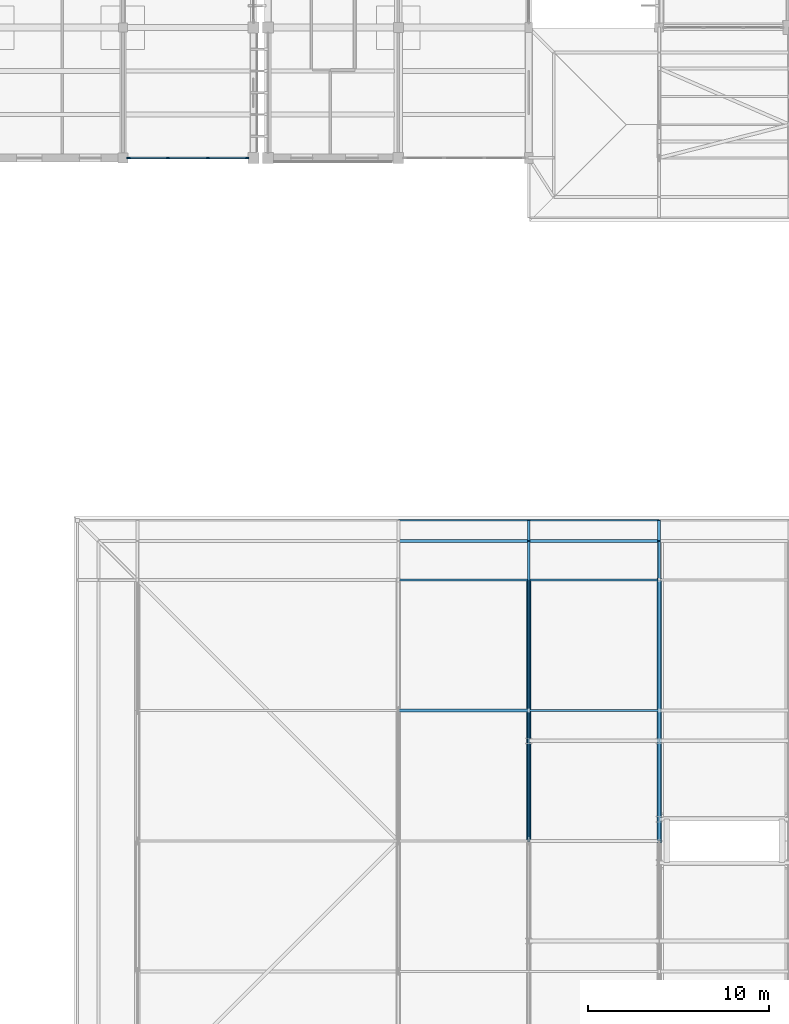
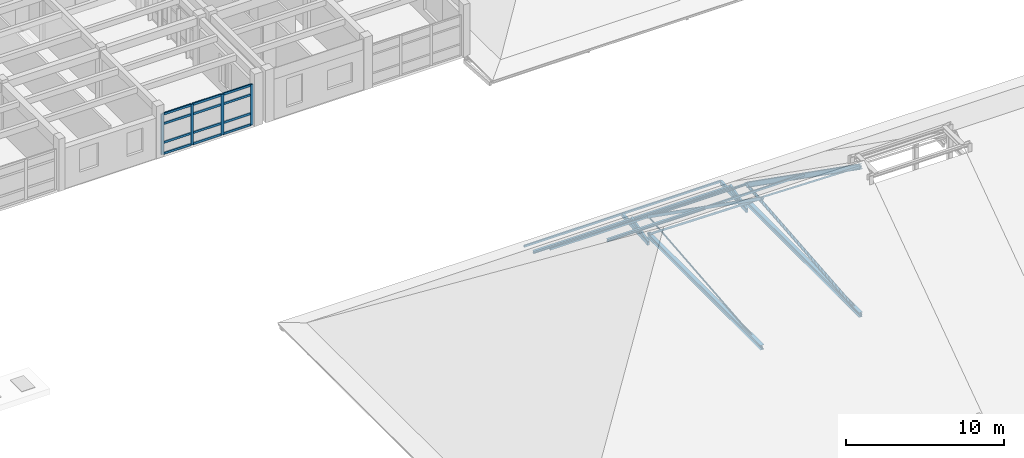
# One storey, part 6 of 100: 36 members, 1 element without a shape of its own.
"""IFC4 building model written with IfcOpenShell, lengths in metres."""

from ifc_helpers import new_model, si_unit, direction, frame, origin, origin_2d, place, context, subcontext, project, spatial, rectangle, hollow_rectangle, hollow_circle, i_section, extrude, material, material_profile, profile_set, type_object, element, aggregate, save


model = new_model("IFC4")

# Units and contexts
model_context = context("Model", 3, precision=1e-05, world=origin(), true_north=direction((0.0, 1.0)))
body_context = subcontext(model_context, "Body", "Model", "MODEL_VIEW")
ifc_project = project(units=[si_unit("LENGTHUNIT", "METRE"), si_unit("AREAUNIT", "SQUARE_METRE"), si_unit("VOLUMEUNIT", "CUBIC_METRE"), si_unit("PLANEANGLEUNIT", "RADIAN"), si_unit("MASSUNIT", "GRAM", prefix="KILO")], contexts=[model_context])

# Site, building, storey
site_placement = place(None, origin())
site = spatial("IfcSite", under=ifc_project, at=site_placement, CompositionType="ELEMENT")
building_placement = place(site_placement, origin())
building = spatial("IfcBuilding", under=site, at=building_placement, Name="Steenspoor Specialist Clinic", CompositionType="ELEMENT")
storey_placement = place(building_placement, frame((0.0, 0.0, 9.0)))
storey = spatial("IfcBuildingStorey", under=building, at=storey_placement, Name="L02", CompositionType="ELEMENT", Elevation=9.0)

# Curtain wall, members
ifc_material_1 = material(Name="Thermally broken aluminium and low-emissivity glass", Category="aluminium")
curtain_wall_type = type_object("IfcCurtainWallType", Name="CW-L00-650X415", PredefinedType="USERDEFINED", material=ifc_material_1)
curtain_wall_placement = place(storey_placement, origin())
curtain_wall = element("IfcCurtainWall", 1, at=curtain_wall_placement, inside=storey, type_object=curtain_wall_type, Name="Unitised Curtain Wall CW-V5-L02-149", ObjectType="UNITISED GLAZING", PredefinedType="USERDEFINED")
ifc_material_2 = material(Name="Thermally broken aluminium 6063-T6", Category="aluminium")
ifc_material_profile_1 = material_profile(ifc_material_2, rectangle(XDim=0.090087890625, YDim=0.199951171875, at=origin_2d()), Name="CWM-90X200")
ifc_profile_set_1 = profile_set([ifc_material_profile_1], Name="Thermally broken aluminium 6063-T6")
member_type_1 = type_object("IfcMemberType", Name="CW-MULL-90X200", PredefinedType="MULLION", material=ifc_profile_set_1)
member_1_placement = place(storey_placement, frame((51.2548828125, 65.14990234375, 0.0), z_axis=(0.0, 0.0, 1.0), x_axis=(0.0, -1.0, 0.0)))
member_1 = element("IfcMember", 2, at=member_1_placement, type_object=member_type_1, Name="CW-05 mullion 1", PredefinedType="MULLION", context=body_context, shape_type="SweptSolid", body=[
    extrude(rectangle(XDim=0.090087890625, YDim=0.199951171875, at=origin_2d()), origin(), (0.0, 0.0, 1.0), 3.1298828125),
])
member_2_placement = place(storey_placement, frame((49.091552734375, 65.14990234375, 0.0), z_axis=(0.0, 0.0, 1.0), x_axis=(0.0, -1.0, 0.0)))
member_2 = element("IfcMember", 3, at=member_2_placement, type_object=member_type_1, Name="CW-05 mullion 2", PredefinedType="MULLION", context=body_context, shape_type="SweptSolid", body=[
    extrude(rectangle(XDim=0.090087890625, YDim=0.199951171875, at=origin_2d()), origin(), (0.0, 0.0, 1.0), 3.1298828125),
])
member_3_placement = place(storey_placement, frame((46.88330078125, 65.14990234375, 0.0), z_axis=(0.0, 0.0, 1.0), x_axis=(0.0, -1.0, 0.0)))
member_3 = element("IfcMember", 4, at=member_3_placement, type_object=member_type_1, Name="CW-05 mullion 3", PredefinedType="MULLION", context=body_context, shape_type="SweptSolid", body=[
    extrude(rectangle(XDim=0.090087890625, YDim=0.199951171875, at=origin_2d()), origin(), (0.0, 0.0, 1.0), 3.1298828125),
])
member_4_placement = place(storey_placement, frame((44.719970703125, 65.14990234375, 0.0), z_axis=(0.0, 0.0, 1.0), x_axis=(0.0, -1.0, 0.0)))
member_4 = element("IfcMember", 5, at=member_4_placement, type_object=member_type_1, Name="CW-05 mullion 4", PredefinedType="MULLION", context=body_context, shape_type="SweptSolid", body=[
    extrude(rectangle(XDim=0.090087890625, YDim=0.199951171875, at=origin_2d()), origin(), (0.0, 0.0, 1.0), 3.1298828125),
])
ifc_material_profile_2 = material_profile(ifc_material_2, rectangle(XDim=0.090087890625, YDim=0.175048828125, at=origin_2d()), Name="CWT-90X175")
ifc_profile_set_2 = profile_set([ifc_material_profile_2], Name="Thermally broken aluminium 6063-T6")
member_type_2 = type_object("IfcMemberType", Name="CW-TRAN-90X175", PredefinedType="USERDEFINED", material=ifc_profile_set_2)
member_5_placement = place(storey_placement, frame((51.2099609375, 65.14990234375, 0.044921875), z_axis=(-1.0, 0.0, 0.0), x_axis=(0.0, -1.0, 0.0)))
member_5 = element("IfcMember", 6, at=member_5_placement, type_object=member_type_2, Name="CW-05 transom 1.1", ObjectType="TRANSOM", PredefinedType="USERDEFINED", context=body_context, shape_type="SweptSolid", body=[
    extrude(rectangle(XDim=0.090087890625, YDim=0.175048828125, at=origin_2d()), origin(), (0.0, 0.0, 1.0), 2.0732421875),
])
member_6_placement = place(storey_placement, frame((51.2099609375, 65.14990234375, 0.89990234375), z_axis=(-1.0, 0.0, 0.0), x_axis=(0.0, -1.0, 0.0)))
member_6 = element("IfcMember", 7, at=member_6_placement, type_object=member_type_2, Name="CW-05 transom 1.2", ObjectType="TRANSOM", PredefinedType="USERDEFINED", context=body_context, shape_type="SweptSolid", body=[
    extrude(rectangle(XDim=0.090087890625, YDim=0.175048828125, at=origin_2d()), origin(), (0.0, 0.0, 1.0), 2.0732421875),
])
member_7_placement = place(storey_placement, frame((51.2099609375, 65.14990234375, 2.35009765625), z_axis=(-1.0, 0.0, 0.0), x_axis=(0.0, -1.0, 0.0)))
member_7 = element("IfcMember", 8, at=member_7_placement, type_object=member_type_2, Name="CW-05 transom 1.3", ObjectType="TRANSOM", PredefinedType="USERDEFINED", context=body_context, shape_type="SweptSolid", body=[
    extrude(rectangle(XDim=0.090087890625, YDim=0.175048828125, at=origin_2d()), origin(), (0.0, 0.0, 1.0), 2.0732421875),
])
member_8_placement = place(storey_placement, frame((51.2099609375, 65.14990234375, 3.0849609375), z_axis=(-1.0, 0.0, 0.0), x_axis=(0.0, -1.0, 0.0)))
member_8 = element("IfcMember", 9, at=member_8_placement, type_object=member_type_2, Name="CW-05 transom 1.4", ObjectType="TRANSOM", PredefinedType="USERDEFINED", context=body_context, shape_type="SweptSolid", body=[
    extrude(rectangle(XDim=0.090087890625, YDim=0.175048828125, at=origin_2d()), origin(), (0.0, 0.0, 1.0), 2.0732421875),
])
member_9_placement = place(storey_placement, frame((49.046630859375, 65.14990234375, 0.044921875), z_axis=(-1.0, 0.0, 0.0), x_axis=(0.0, -1.0, 0.0)))
member_9 = element("IfcMember", 10, at=member_9_placement, type_object=member_type_2, Name="CW-05 transom 2.1", ObjectType="TRANSOM", PredefinedType="USERDEFINED", context=body_context, shape_type="SweptSolid", body=[
    extrude(rectangle(XDim=0.090087890625, YDim=0.175048828125, at=origin_2d()), origin(), (0.0, 0.0, 1.0), 2.118408203125),
])
member_10_placement = place(storey_placement, frame((49.046630859375, 65.14990234375, 0.89990234375), z_axis=(-1.0, 0.0, 0.0), x_axis=(0.0, -1.0, 0.0)))
member_10 = element("IfcMember", 11, at=member_10_placement, type_object=member_type_2, Name="CW-05 transom 2.2", ObjectType="TRANSOM", PredefinedType="USERDEFINED", context=body_context, shape_type="SweptSolid", body=[
    extrude(rectangle(XDim=0.090087890625, YDim=0.175048828125, at=origin_2d()), origin(), (0.0, 0.0, 1.0), 2.118408203125),
])
member_11_placement = place(storey_placement, frame((49.046630859375, 65.14990234375, 2.35009765625), z_axis=(-1.0, 0.0, 0.0), x_axis=(0.0, -1.0, 0.0)))
member_11 = element("IfcMember", 12, at=member_11_placement, type_object=member_type_2, Name="CW-05 transom 2.3", ObjectType="TRANSOM", PredefinedType="USERDEFINED", context=body_context, shape_type="SweptSolid", body=[
    extrude(rectangle(XDim=0.090087890625, YDim=0.175048828125, at=origin_2d()), origin(), (0.0, 0.0, 1.0), 2.118408203125),
])
member_12_placement = place(storey_placement, frame((49.046630859375, 65.14990234375, 3.0849609375), z_axis=(-1.0, 0.0, 0.0), x_axis=(0.0, -1.0, 0.0)))
member_12 = element("IfcMember", 13, at=member_12_placement, type_object=member_type_2, Name="CW-05 transom 2.4", ObjectType="TRANSOM", PredefinedType="USERDEFINED", context=body_context, shape_type="SweptSolid", body=[
    extrude(rectangle(XDim=0.090087890625, YDim=0.175048828125, at=origin_2d()), origin(), (0.0, 0.0, 1.0), 2.118408203125),
])
member_13_placement = place(storey_placement, frame((46.83837890625, 65.14990234375, 0.044921875), z_axis=(-1.0, 0.0, 0.0), x_axis=(0.0, -1.0, 0.0)))
member_13 = element("IfcMember", 14, at=member_13_placement, type_object=member_type_2, Name="CW-05 transom 3.1", ObjectType="TRANSOM", PredefinedType="USERDEFINED", context=body_context, shape_type="SweptSolid", body=[
    extrude(rectangle(XDim=0.090087890625, YDim=0.175048828125, at=origin_2d()), origin(), (0.0, 0.0, 1.0), 2.073486328125),
])
member_14_placement = place(storey_placement, frame((46.83837890625, 65.14990234375, 0.89990234375), z_axis=(-1.0, 0.0, 0.0), x_axis=(0.0, -1.0, 0.0)))
member_14 = element("IfcMember", 15, at=member_14_placement, type_object=member_type_2, Name="CW-05 transom 3.2", ObjectType="TRANSOM", PredefinedType="USERDEFINED", context=body_context, shape_type="SweptSolid", body=[
    extrude(rectangle(XDim=0.090087890625, YDim=0.175048828125, at=origin_2d()), origin(), (0.0, 0.0, 1.0), 2.073486328125),
])
member_15_placement = place(storey_placement, frame((46.83837890625, 65.14990234375, 2.35009765625), z_axis=(-1.0, 0.0, 0.0), x_axis=(0.0, -1.0, 0.0)))
member_15 = element("IfcMember", 16, at=member_15_placement, type_object=member_type_2, Name="CW-05 transom 3.3", ObjectType="TRANSOM", PredefinedType="USERDEFINED", context=body_context, shape_type="SweptSolid", body=[
    extrude(rectangle(XDim=0.090087890625, YDim=0.175048828125, at=origin_2d()), origin(), (0.0, 0.0, 1.0), 2.073486328125),
])
member_16_placement = place(storey_placement, frame((46.83837890625, 65.14990234375, 3.0849609375), z_axis=(-1.0, 0.0, 0.0), x_axis=(0.0, -1.0, 0.0)))
member_16 = element("IfcMember", 17, at=member_16_placement, type_object=member_type_2, Name="CW-05 transom 3.4", ObjectType="TRANSOM", PredefinedType="USERDEFINED", context=body_context, shape_type="SweptSolid", body=[
    extrude(rectangle(XDim=0.090087890625, YDim=0.175048828125, at=origin_2d()), origin(), (0.0, 0.0, 1.0), 2.073486328125),
])
aggregate(curtain_wall, [member_1, member_2, member_3, member_4, member_5, member_6, member_7, member_8, member_9, member_10, member_11, member_12, member_13, member_14, member_15, member_16])

# Members
ifc_material_3 = material(Name="Steel A500 Grade C", Category="steel")
ifc_material_profile_3 = material_profile(ifc_material_3, hollow_rectangle(XDim=0.126953125, YDim=0.126953125, WallThickness=0.0087890625, at=origin_2d()), Name="HSS127X127X9.5")
ifc_profile_set_3 = profile_set([ifc_material_profile_3], Name="Steel A500 Grade C")
member_type_3 = type_object("IfcMemberType", Name="MEM-BRACE-H127A", PredefinedType="BRACE", material=ifc_profile_set_3)
member_17_placement = place(storey_placement, frame((74.0, 27.449951171875, 11.6630859375), z_axis=(0.0, 0.782415513628, -0.622756745474), x_axis=(-1.0, 0.0, 0.0)))
element("IfcMember", 18, at=member_17_placement, inside=storey, type_object=member_type_3, Name="ROOF TRUSS Web Brace V1 5.2", PredefinedType="BRACE", context=body_context, shape_type="SweptSolid", body=[
    extrude(hollow_rectangle(XDim=0.126953125, YDim=0.126953125, WallThickness=0.0087890625, at=origin_2d()), origin(), (0.0, 0.0, 1.0), 18.40478515625),
])
ifc_material_profile_4 = material_profile(ifc_material_3, hollow_rectangle(XDim=0.15234375, YDim=0.15234375, WallThickness=0.0087890625, at=origin_2d()), Name="HSS152X152X9.5")
ifc_profile_set_4 = profile_set([ifc_material_profile_4], Name="Steel A500 Grade C")
member_type_4 = type_object("IfcMemberType", Name="MEM-BRACE-H152", PredefinedType="BRACE", material=ifc_profile_set_4)
member_18_placement = place(storey_placement, frame((66.800048828125, 27.449951171875, 11.728515625), z_axis=(0.0, 0.780684120504, -0.624925838794), x_axis=(-1.0, 0.0, 0.0)))
element("IfcMember", 19, at=member_18_placement, inside=storey, type_object=member_type_4, Name="ROOF TRUSS Web Brace V1 4.2", PredefinedType="BRACE", context=body_context, shape_type="SweptSolid", body=[
    extrude(hollow_rectangle(XDim=0.15234375, YDim=0.15234375, WallThickness=0.0087890625, at=origin_2d()), origin(), (0.0, 0.0, 1.0), 18.445556640625),
])
ifc_material_profile_5 = material_profile(ifc_material_3, hollow_rectangle(XDim=0.203125, YDim=0.203125, WallThickness=0.01171875, at=origin_2d()), Name="HSS203X203X12.7")
ifc_profile_set_5 = profile_set([ifc_material_profile_5], Name="Steel A500 Grade C")
member_type_5 = type_object("IfcMemberType", Name="MEM-CHORD-H203", PredefinedType="CHORD", material=ifc_profile_set_5)
member_19_placement = place(storey_placement, frame((66.800048828125, 27.449951171875, 11.728515625), z_axis=(0.0, 0.817405461194, -0.576062767423), x_axis=(-1.0, 0.0, 0.0)))
element("IfcMember", 20, at=member_19_placement, inside=storey, type_object=member_type_5, Name="ROOF TRUSS Top Chord V1 4.2", PredefinedType="CHORD", context=body_context, shape_type="SweptSolid", body=[
    extrude(hollow_rectangle(XDim=0.203125, YDim=0.203125, WallThickness=0.01171875, at=origin_2d()), origin(), (0.0, 0.0, 1.0), 17.616943359375),
])
ifc_material_4 = material(Name="Steel A992 Grade 50", Category="steel")
ifc_material_profile_6 = material_profile(ifc_material_4, i_section(OverallWidth=0.257080078125, OverallDepth=0.363037109375, WebThickness=0.012939453125, FlangeThickness=0.021728515625, at=origin_2d()), Name="W360X122")
ifc_profile_set_6 = profile_set([ifc_material_profile_6], Name="Steel A992 Grade 50")
member_type_6 = type_object("IfcMemberType", Name="MEM-CHORD-W360", PredefinedType="CHORD", material=ifc_profile_set_6)
for number, where, z_axis, x_axis, name in (
    (21, (66.800048828125, 27.449951171875, 0.201416015625), (0.0, 1.0, 0.0), (-1.0, 0.0, 0.0), "ROOF TRUSS Bottom Chord V1 4.2"),
    (22, (74.0, 27.449951171875, 0.201416015625), (0.0, 1.0, 0.0), (-1.0, 0.0, 0.0), "ROOF TRUSS Bottom Chord V1 5.2"),
):
    element("IfcMember", number, at=place(storey_placement, frame(where, z_axis=z_axis, x_axis=x_axis)), inside=storey, type_object=member_type_6, Name=name, PredefinedType="CHORD", context=body_context, shape_type="SweptSolid", body=[
        extrude(i_section(OverallWidth=0.257080078125, OverallDepth=0.363037109375, WebThickness=0.012939453125, FlangeThickness=0.021728515625, at=origin_2d()), origin(), (0.0, 0.0, 1.0), 14.400146484375),
    ])
member_20_placement = place(storey_placement, frame((74.0, 27.449951171875, 11.6630859375), z_axis=(0.0, 0.817411986757, -0.57605350785), x_axis=(-1.0, 0.0, 0.0)))
element("IfcMember", 23, at=member_20_placement, inside=storey, type_object=member_type_6, Name="ROOF TRUSS Top Chord V1 5.2", PredefinedType="CHORD", context=body_context, shape_type="SweptSolid", body=[
    extrude(i_section(OverallWidth=0.257080078125, OverallDepth=0.363037109375, WebThickness=0.012939453125, FlangeThickness=0.021728515625, at=origin_2d()), origin(), (0.0, 0.0, 1.0), 17.61669921875),
])
ifc_material_profile_7 = material_profile(ifc_material_3, hollow_rectangle(XDim=0.1015625, YDim=0.15234375, WallThickness=0.005859375, at=origin_2d()), Name="HSS152X102X6.4")
ifc_profile_set_7 = profile_set([ifc_material_profile_7], Name="Steel A500 Grade C")
member_type_7 = type_object("IfcMemberType", Name="MEM-PURLIN-H152", PredefinedType="PURLIN", material=ifc_profile_set_7)
for number, where, z_axis, x_axis, name in (
    (24, (59.60009765625, 45.14990234375, -0.19482421875), (1.0, 0.0, 0.0), (0.0, 1.0, 0.0), "ROOF TRUSS Eave Fascia 12"),
    (25, (66.800048828125, 45.14990234375, -0.19482421875), (1.0, 0.0, 0.0), (0.0, 1.0, 0.0), "ROOF TRUSS Eave Fascia 13"),
    (26, (59.60009765625, 41.85009765625, 1.587158203125), (1.0, 0.0, 0.0), (0.0, 1.0, 0.0), "ROOF TRUSS Purlin 52"),
    (27, (66.800048828125, 34.64990234375, 6.6611328125), (1.0, 0.0, 0.0), (0.0, 1.0, 0.0), "ROOF TRUSS Purlin 56"),
):
    element("IfcMember", number, at=place(storey_placement, frame(where, z_axis=z_axis, x_axis=x_axis)), inside=storey, type_object=member_type_7, Name=name, PredefinedType="PURLIN", context=body_context, shape_type="SweptSolid", body=[
        extrude(hollow_rectangle(XDim=0.1015625, YDim=0.15234375, WallThickness=0.005859375, at=origin_2d()), origin(), (0.0, 0.0, 1.0), 7.199951171875),
    ])
ifc_material_profile_8 = material_profile(ifc_material_4, i_section(OverallWidth=0.10205078125, OverallDepth=0.159912109375, WebThickness=0.006591796875, FlangeThickness=0.01025390625, at=origin_2d()), Name="W150X24")
ifc_profile_set_8 = profile_set([ifc_material_profile_8], Name="Steel A992 Grade 50")
member_type_8 = type_object("IfcMemberType", Name="MEM-PURLIN-W150", PredefinedType="PURLIN", material=ifc_profile_set_8)
member_21_placement = place(storey_placement, frame((66.800048828125, 41.85009765625, 1.583251953125), z_axis=(1.0, 0.0, 0.0), x_axis=(0.0, 1.0, 0.0)))
element("IfcMember", 28, at=member_21_placement, inside=storey, type_object=member_type_8, Name="ROOF TRUSS Purlin 57", PredefinedType="PURLIN", context=body_context, shape_type="SweptSolid", body=[
    extrude(i_section(OverallWidth=0.10205078125, OverallDepth=0.159912109375, WebThickness=0.006591796875, FlangeThickness=0.01025390625, at=origin_2d()), origin(), (0.0, 0.0, 1.0), 7.199951171875),
])
ifc_material_profile_9 = material_profile(ifc_material_4, i_section(OverallWidth=0.1650390625, OverallDepth=0.200927734375, WebThickness=0.006103515625, FlangeThickness=0.01025390625, at=origin_2d()), Name="W200X36")
ifc_profile_set_9 = profile_set([ifc_material_profile_9], Name="Steel A992 Grade 50")
member_type_9 = type_object("IfcMemberType", Name="MEM-PURLIN-W200", PredefinedType="PURLIN", material=ifc_profile_set_9)
for number, where, z_axis, x_axis, name in (
    (29, (59.60009765625, 44.0, 0.049560546875), (1.0, 0.0, 0.0), (0.0, 1.0, 0.0), "ROOF TRUSS Knuckle Purlin 27"),
    (30, (66.800048828125, 44.0, 0.049560546875), (1.0, 0.0, 0.0), (0.0, 1.0, 0.0), "ROOF TRUSS Knuckle Purlin 29"),
    (31, (59.60009765625, 34.64990234375, 6.636962890625), (1.0, 0.0, 0.0), (0.0, 1.0, 0.0), "ROOF TRUSS Purlin 51"),
):
    element("IfcMember", number, at=place(storey_placement, frame(where, z_axis=z_axis, x_axis=x_axis)), inside=storey, type_object=member_type_9, Name=name, PredefinedType="PURLIN", context=body_context, shape_type="SweptSolid", body=[
        extrude(i_section(OverallWidth=0.1650390625, OverallDepth=0.200927734375, WebThickness=0.006103515625, FlangeThickness=0.01025390625, at=origin_2d()), origin(), (0.0, 0.0, 1.0), 7.199951171875),
    ])
ifc_material_5 = material(Name="Glulam GL28h", Category="wood")
ifc_material_profile_10 = material_profile(ifc_material_5, rectangle(XDim=0.139892578125, YDim=0.219970703125, at=origin_2d()), Name="GL28H-140X220")
ifc_profile_set_10 = profile_set([ifc_material_profile_10], Name="Glulam GL28h")
member_type_10 = type_object("IfcMemberType", Name="MEM-RAFTER-GL220", PredefinedType="RAFTER", material=ifc_profile_set_10)
for number, where, z_axis, x_axis, name in (
    (32, (66.800048828125, 41.85009765625, -0.42333984375), (0.0, 0.963210130486, 0.268749408426), (-1.0, 0.0, 0.0), "ROOF TRUSS Knuckle Rafter V1 12"),
    (33, (74.0, 41.85009765625, -0.42333984375), (0.0, 0.963210130486, 0.268749408426), (-1.0, 0.0, 0.0), "ROOF TRUSS Knuckle Rafter V1 16"),
):
    element("IfcMember", number, at=place(storey_placement, frame(where, z_axis=z_axis, x_axis=x_axis)), inside=storey, type_object=member_type_10, Name=name, PredefinedType="RAFTER", context=body_context, shape_type="SweptSolid", body=[
        extrude(rectangle(XDim=0.139892578125, YDim=0.219970703125, at=origin_2d()), origin(), (0.0, 0.0, 1.0), 2.23193359375),
    ])
ifc_material_profile_11 = material_profile(ifc_material_5, rectangle(XDim=0.159912109375, YDim=0.280029296875, at=origin_2d()), Name="GL28H-160X280")
ifc_profile_set_11 = profile_set([ifc_material_profile_11], Name="Glulam GL28h")
member_type_11 = type_object("IfcMemberType", Name="MEM-RAFTER-GL280", PredefinedType="RAFTER", material=ifc_profile_set_11)
for number, where, z_axis, x_axis, name in (
    (34, (66.800048828125, 41.85009765625, -0.5), (0.0, 0.997518288162, 0.070407846027), (-1.0, 0.0, 0.0), "ROOF TRUSS Flared Eave Glulam Outrigger V1 11"),
    (35, (74.0, 41.85009765625, -0.5), (0.0, 0.997518288162, 0.070407846027), (-1.0, 0.0, 0.0), "ROOF TRUSS Flared Eave Glulam Outrigger V1 15"),
):
    element("IfcMember", number, at=place(storey_placement, frame(where, z_axis=z_axis, x_axis=x_axis)), inside=storey, type_object=member_type_11, Name=name, PredefinedType="RAFTER", context=body_context, shape_type="SweptSolid", body=[
        extrude(rectangle(XDim=0.159912109375, YDim=0.280029296875, at=origin_2d()), origin(), (0.0, 0.0, 1.0), 3.30810546875),
    ])
ifc_material_profile_12 = material_profile(ifc_material_3, hollow_circle(Radius=0.05712890625, WallThickness=0.006103515625, at=origin_2d()), Name="CHS114X6.0")
ifc_profile_set_12 = profile_set([ifc_material_profile_12], Name="Steel A500 Grade C")
member_type_12 = type_object("IfcMemberType", Name="MEM-STRUT-CHS114", PredefinedType="STRUT", material=ifc_profile_set_12)
member_22_placement = place(storey_placement, frame((66.800048828125, 27.449951171875, 0.201416015625), z_axis=(0.0, 0.995448246207, 0.095303667944), x_axis=(-1.0, 0.0, 0.0)))
element("IfcMember", 36, at=member_22_placement, inside=storey, type_object=member_type_12, Name="ROOF TRUSS Web Strut V1 4.2", PredefinedType="STRUT", context=body_context, shape_type="SweptSolid", body=[
    extrude(hollow_circle(Radius=0.05712890625, WallThickness=0.006103515625, at=origin_2d()), origin(), (0.0, 0.0, 1.0), 14.466064453125),
])
ifc_material_profile_13 = material_profile(ifc_material_3, hollow_circle(Radius=0.109619140625, WallThickness=0.00830078125, at=origin_2d()), Name="CHS219X8.2")
ifc_profile_set_13 = profile_set([ifc_material_profile_13], Name="Steel A500 Grade C")
member_type_13 = type_object("IfcMemberType", Name="MEM-STRUT-CHS219", PredefinedType="STRUT", material=ifc_profile_set_13)
member_23_placement = place(storey_placement, frame((74.0, 27.449951171875, 0.201416015625), z_axis=(0.0, 0.995865897889, 0.090835639602), x_axis=(-1.0, 0.0, 0.0)))
element("IfcMember", 37, at=member_23_placement, inside=storey, type_object=member_type_13, Name="ROOF TRUSS Web Strut V1 5.2", PredefinedType="STRUT", context=body_context, shape_type="SweptSolid", body=[
    extrude(hollow_circle(Radius=0.109619140625, WallThickness=0.00830078125, at=origin_2d()), origin(), (0.0, 0.0, 1.0), 14.4599609375),
])

save(model, "model.ifc")
